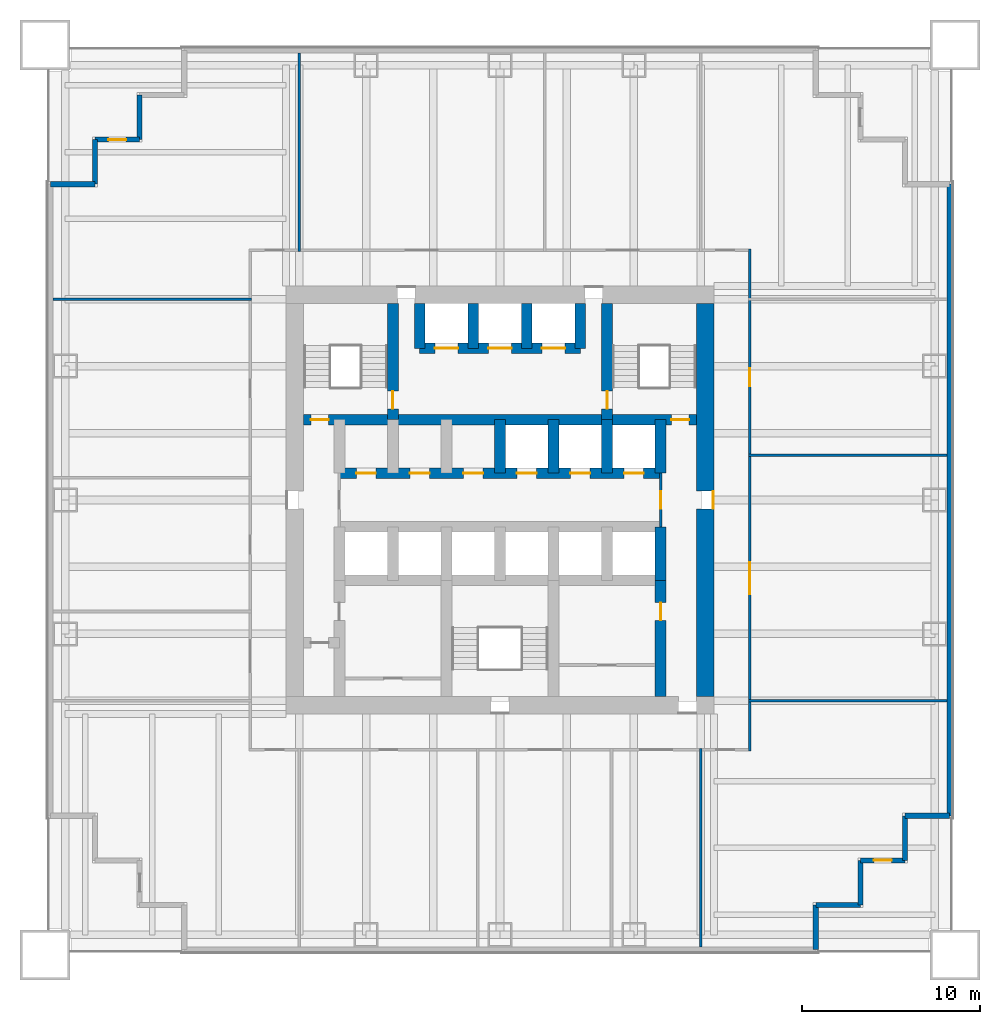
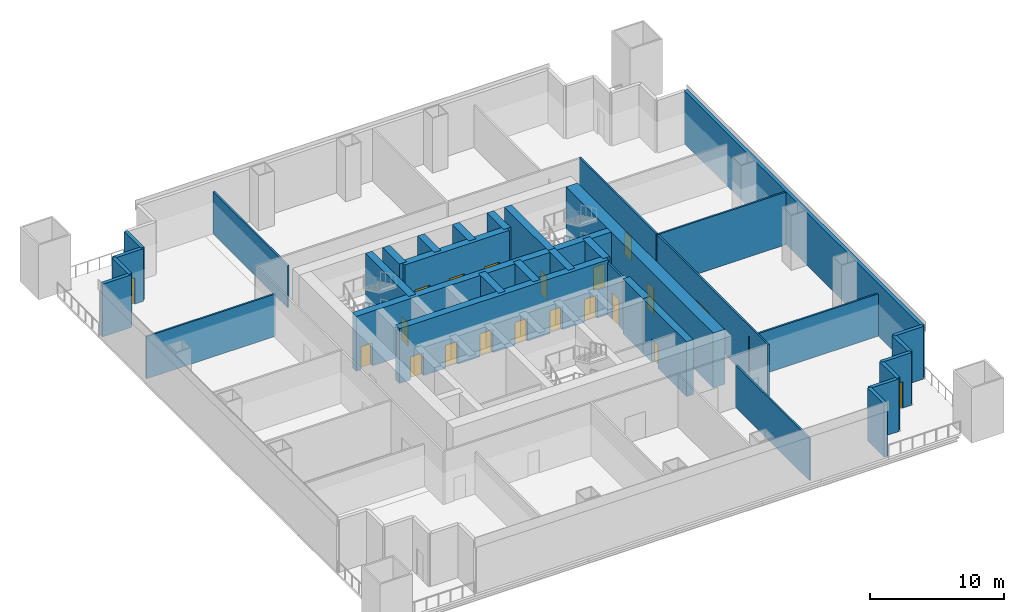
# One storey, part 3 of 6: 34 walls, 20 doors, 20 openings.
"""IFC4 building model written with IfcOpenShell, lengths in metres."""

import ifcopenshell
import ifcopenshell.guid

model = None  # the IFC model being written
_history = None  # IfcOwnerHistory: only IFC2X3 demands one
_inside = {}  # id of a spatial element -> (the spatial element, [elements in it])
_under = {}  # id of a project, library or spatial element -> (it, [spatial elements below it])
_declared = {}  # id of a project -> (the project, [libraries it declares])
_typed = {}  # id of a type object -> (the type object, [elements of that type])
_made_of = {}  # id of a material, layer set ... -> (it, [elements and type objects made of it])


def new_model(schema):
    """Start an empty IFC model of exactly this schema.

    Asked for "IFC4X3", IfcOpenShell would pick the latest addendum, in which some entities
    have other attributes; the version numbers below select the first issue.
    IFC2X3 requires an IfcOwnerHistory on every rooted entity: one is made here for all.
    """
    global model, _history
    if schema == "IFC4X3":
        model = ifcopenshell.file(schema_version=(4, 3, 0, 0))
    else:
        model = ifcopenshell.file(schema=schema)
    _inside.clear()
    _under.clear()
    _declared.clear()
    _typed.clear()
    _made_of.clear()
    _history = None
    if model.schema == "IFC2X3":
        org = make("IfcOrganization", Name="unknown")
        user = make(
            "IfcPersonAndOrganization",
            ThePerson=make("IfcPerson", FamilyName="unknown"),
            TheOrganization=org,
        )
        app = make(
            "IfcApplication",
            ApplicationDeveloper=org,
            Version="unknown",
            ApplicationFullName="unknown",
            ApplicationIdentifier="unknown",
        )
        _history = make(
            "IfcOwnerHistory",
            OwningUser=user,
            OwningApplication=app,
            ChangeAction="ADDED",
            CreationDate=0,
        )
    return model


def make(cls, **values):
    """One entity of the class cls with the attributes given. An attribute that is None is left unset."""
    return model.create_entity(
        cls, **{name: value for name, value in values.items() if value is not None}
    )


def rooted(cls, **values):
    """An entity with a GlobalId (a new one), such as an element, a storey or a relation."""
    return make(cls, GlobalId=ifcopenshell.guid.new(), OwnerHistory=_history, **values)


def si_unit(unit_type, name, prefix=None):
    """IfcSIUnit, for example si_unit("LENGTHUNIT", "METRE", prefix="MILLI")."""
    return make("IfcSIUnit", UnitType=unit_type, Prefix=prefix, Name=name)


def assignment(units):
    """IfcUnitAssignment: the units of a project."""
    return None if units is None else make("IfcUnitAssignment", Units=units)


def point(xyz):
    """IfcCartesianPoint."""
    return None if xyz is None else make("IfcCartesianPoint", Coordinates=xyz)


def direction(xyz):
    """IfcDirection."""
    return None if xyz is None else make("IfcDirection", DirectionRatios=xyz)


def frame(location, z_axis=None, x_axis=None):
    """IfcAxis2Placement3D, a coordinate frame: its origin and axes. An axis left out is left unset."""
    return make(
        "IfcAxis2Placement3D",
        Location=point(location),
        Axis=direction(z_axis),
        RefDirection=direction(x_axis),
    )


def frame_2d(location, x_axis=None):
    """IfcAxis2Placement2D, a coordinate frame in the plane: its origin and x axis."""
    return make(
        "IfcAxis2Placement2D", Location=point(location), RefDirection=direction(x_axis)
    )


def origin():
    """The frame at (0, 0, 0) with its axes left unset."""
    return frame((0.0, 0.0, 0.0))


def place(relative_to, where):
    """IfcLocalPlacement: puts the frame where relative to a parent placement (None: the world)."""
    return make(
        "IfcLocalPlacement", PlacementRelTo=relative_to, RelativePlacement=where
    )


def context(
    kind, dimensions, precision=None, world=None, true_north=None, identifier=None
):
    """IfcGeometricRepresentationContext, for example the 3D "Model" context."""
    return make(
        "IfcGeometricRepresentationContext",
        ContextIdentifier=identifier,
        ContextType=kind,
        CoordinateSpaceDimension=dimensions,
        Precision=precision,
        WorldCoordinateSystem=world,
        TrueNorth=true_north,
    )


def subcontext(parent, identifier, kind, view, scale=None):
    """IfcGeometricRepresentationSubContext, for example "Body" below "Model"."""
    return make(
        "IfcGeometricRepresentationSubContext",
        ContextIdentifier=identifier,
        ContextType=kind,
        ParentContext=parent,
        TargetScale=scale,
        TargetView=view,
    )


def project(units=None, contexts=None):
    """IfcProject with its units and contexts."""
    return rooted(
        "IfcProject",
        Name="project",
        RepresentationContexts=contexts,
        UnitsInContext=assignment(units),
    )


def spatial(cls, under=None, at=None, **own):
    """A site, building, storey or space (cls), placed at a placement, below another one or the project."""
    s = rooted(cls, ObjectPlacement=at, **own)
    if under is not None:
        _under.setdefault(under.id(), (under, []))[1].append(s)
    return s


def profile(cls, at=None, kind="AREA", **sizes):
    """A parametric profile (cls). Its sizes go by their IFC names, for example OverallWidth=200.0."""
    return make(cls, ProfileType=kind, Position=at, **sizes)


def rectangle(**sizes):
    """IfcRectangleProfileDef."""
    return profile("IfcRectangleProfileDef", **sizes)


def extrude(swept, where, along, depth):
    """IfcExtrudedAreaSolid: the profile swept, set in the frame where, extruded along a direction by depth."""
    return make(
        "IfcExtrudedAreaSolid",
        SweptArea=swept,
        Position=where,
        ExtrudedDirection=direction(along),
        Depth=depth,
    )


def shape(context_of_items, identifier, shape_type, items):
    """IfcShapeRepresentation: the items that make up one representation, for example the "Body"."""
    return make(
        "IfcShapeRepresentation",
        ContextOfItems=context_of_items,
        RepresentationIdentifier=identifier,
        RepresentationType=shape_type,
        Items=items,
    )


def material(Name=None, Category=None):
    """IfcMaterial."""
    return make("IfcMaterial", Name=Name, Category=Category)


def layer(
    of_material, thickness, ventilated=None, Name=None, Category=None, Priority=None
):
    """IfcMaterialLayer: one layer of a wall or slab, of a material (None: an air gap)."""
    return make(
        "IfcMaterialLayer",
        Material=of_material,
        LayerThickness=thickness,
        IsVentilated=ventilated,
        Name=Name,
        Category=Category,
        Priority=Priority,
    )


def layer_set(layers, Name=None):
    """IfcMaterialLayerSet."""
    return make("IfcMaterialLayerSet", MaterialLayers=layers, LayerSetName=Name)


def made_of(thing, what):
    """Note that an element or type object is made of a material, layer set ...; save() writes the relation."""
    if what is not None:
        _made_of.setdefault(what.id(), (what, []))[1].append(thing)
    return thing


def type_object(cls, material=None, **own):
    """A type object (cls), such as IfcWallType, which elements share."""
    return made_of(rooted(cls, **own), material)


def element(
    cls,
    number,
    at=None,
    inside=None,
    cuts=None,
    type_object=None,
    material=None,
    context=None,
    identifier="Body",
    shape_type=None,
    held_by="IfcProductDefinitionShape",
    body=None,
    shapes=None,
    **own,
):
    """One element of the class cls, such as IfcWall. Its Tag is "e" and its number.

    at: its placement. inside: the storey or other place that contains it. cuts: it is an
    opening in that element (IfcRelVoidsElement). A single representation is given by context,
    identifier, shape_type and body (its items); several are given by shapes. held_by: the class
    of the entity that holds the representations. save() writes the other relations.
    """
    e = rooted(cls, Tag="e%d" % number, ObjectPlacement=at, **own)
    if body is not None:
        shapes = [shape(context, identifier, shape_type, body)]
    if shapes is not None:
        e.Representation = make(held_by, Representations=shapes)
    if inside is not None:
        _inside.setdefault(inside.id(), (inside, []))[1].append(e)
    if cuts is not None:
        rooted(
            "IfcRelVoidsElement", RelatingBuildingElement=cuts, RelatedOpeningElement=e
        )
    if type_object is not None:
        _typed.setdefault(type_object.id(), (type_object, []))[1].append(e)
    return made_of(e, material)


def fill(opening, filler):
    """IfcRelFillsElement: the door or window that sits in an opening."""
    return rooted(
        "IfcRelFillsElement",
        RelatingOpeningElement=opening,
        RelatedBuildingElement=filler,
    )


def aggregate(whole, parts):
    """IfcRelAggregates: a whole, such as a stair, and the parts it consists of."""
    return rooted("IfcRelAggregates", RelatingObject=whole, RelatedObjects=parts)


def save(model, path):
    """Write the relations noted so far, then the file.

    IfcRelAggregates (storeys below a building ...), IfcRelContainedInSpatialStructure (elements
    in a storey), IfcRelDefinesByType, IfcRelAssociatesMaterial and IfcRelDeclares: one each for
    every whole, place, type object, material and project.
    """
    for whole, parts in _under.values():
        aggregate(whole, parts)
    for where, things in _inside.values():
        rooted(
            "IfcRelContainedInSpatialStructure",
            RelatedElements=things,
            RelatingStructure=where,
        )
    for kind, things in _typed.values():
        rooted("IfcRelDefinesByType", RelatedObjects=things, RelatingType=kind)
    for what, things in _made_of.values():
        rooted("IfcRelAssociatesMaterial", RelatedObjects=things, RelatingMaterial=what)
    for by, libraries in _declared.values():
        rooted("IfcRelDeclares", RelatingContext=by, RelatedDefinitions=libraries)
    model.write(path)


model = new_model("IFC4")

# Units and contexts
model_context = context("Model", 3, precision=1e-05, world=origin(), true_north=direction((0.0, 1.0)))
body_context = subcontext(model_context, "Body", "Model", "MODEL_VIEW")
ifc_project = project(units=[si_unit("LENGTHUNIT", "METRE"), si_unit("AREAUNIT", "SQUARE_METRE"), si_unit("VOLUMEUNIT", "CUBIC_METRE"), si_unit("PLANEANGLEUNIT", "RADIAN"), si_unit("MASSUNIT", "GRAM", prefix="KILO")], contexts=[model_context])

# Site, building, storey
site_placement = place(None, origin())
site = spatial("IfcSite", under=ifc_project, at=site_placement, CompositionType="ELEMENT")
building_placement = place(site_placement, origin())
building = spatial("IfcBuilding", under=site, at=building_placement, Name="Tarangal Relay Tower", CompositionType="ELEMENT")
storey_placement = place(building_placement, frame((0.0, 0.0, 33.39990234375)))
storey = spatial("IfcBuildingStorey", under=building, at=storey_placement, Name="L06", CompositionType="ELEMENT", Elevation=33.39990234375)

# Wall, openings, doors
ifc_material_1 = material(Name="Concrete fc' 60 MPa", Category="concrete")
ifc_layer_1 = layer(ifc_material_1, 0.60009765625)
ifc_layer_set_1 = layer_set([ifc_layer_1], Name="Core inner wall 600")
wall_type_1 = type_object("IfcWallType", Name="Core inner wall 600", PredefinedType="SHEAR", material=ifc_layer_set_1)
wall_1_placement = place(storey_placement, frame((-11.0, 4.5, 0.0), z_axis=(0.0, 0.0, 1.0), x_axis=(1.0, 0.0, 0.0)))
wall_1 = element("IfcWall", 1, at=wall_1_placement, inside=storey, type_object=wall_type_1, Name="Core wall Y45 L06", PredefinedType="SHEAR", context=body_context, shape_type="SweptSolid", body=[
    extrude(rectangle(XDim=22.0, YDim=0.60009765625, at=frame_2d((11.0, 0.0))), origin(), (0.0, 0.0, 1.0), 5.0),
])
opening_1_placement = place(wall_1_placement, frame((0.39990234375, 0.0, 0.0)))
opening_1 = element("IfcOpeningElement", 2, at=opening_1_placement, cuts=wall_1, Name="Opening FD1", PredefinedType="OPENING", context=body_context, shape_type="SweptSolid", body=[
    extrude(rectangle(XDim=1.0, YDim=2.10009765625, at=frame_2d((0.5, 1.050048828125))), frame((0.0, 0.31005859375, 0.0), z_axis=(0.0, -1.0, 0.0), x_axis=(1.0, 0.0, 0.0)), (0.0, 0.0, 1.0), 0.6201171875),
])
opening_2_placement = place(wall_1_placement, frame((20.60009765625, 0.0, 0.0)))
opening_2 = element("IfcOpeningElement", 3, at=opening_2_placement, cuts=wall_1, Name="Opening FD1", PredefinedType="OPENING", context=body_context, shape_type="SweptSolid", body=[
    extrude(rectangle(XDim=1.0, YDim=2.10009765625, at=frame_2d((0.5, 1.050048828125))), frame((0.0, 0.31005859375, 0.0), z_axis=(0.0, -1.0, 0.0), x_axis=(1.0, 0.0, 0.0)), (0.0, 0.0, 1.0), 0.6201171875),
])
ifc_material_2 = material(Name="Steel door with hardwood frame", Category="steel")
door_type_1 = type_object("IfcDoorType", Name="Fire door 1000 x 2100", OperationType="SINGLE_SWING_LEFT", PredefinedType="DOOR", material=ifc_material_2)
door_1_placement = place(opening_1_placement, origin())
door_1 = element("IfcDoor", 4, at=door_1_placement, inside=storey, type_object=door_type_1, Name="Stair ST-A door from corridor L06", OperationType="SINGLE_SWING_LEFT", OverallHeight=2.10009765625, OverallWidth=1.0, PredefinedType="DOOR", context=body_context, shape_type="SweptSolid", body=[
    extrude(rectangle(XDim=1.0, YDim=2.10009765625, at=frame_2d((0.5, 1.050048828125))), frame((0.0, 0.02490234375, 0.0), z_axis=(0.0, -1.0, 0.0), x_axis=(1.0, 0.0, 0.0)), (0.0, 0.0, 1.0), 0.050048828125),
])
fill(opening_1, door_1)
door_2_placement = place(opening_2_placement, origin())
door_2 = element("IfcDoor", 5, at=door_2_placement, inside=storey, type_object=door_type_1, Name="Stair ST-B door from corridor L06", OperationType="SINGLE_SWING_LEFT", OverallHeight=2.10009765625, OverallWidth=1.0, PredefinedType="DOOR", context=body_context, shape_type="SweptSolid", body=[
    extrude(rectangle(XDim=1.0, YDim=2.10009765625, at=frame_2d((0.5, 1.050048828125))), frame((0.0, 0.02490234375, 0.0), z_axis=(0.0, -1.0, 0.0), x_axis=(1.0, 0.0, 0.0)), (0.0, 0.0, 1.0), 0.050048828125),
])
fill(opening_2, door_2)

wall_2_placement = place(storey_placement, frame((-9.0, 1.5, 0.0), z_axis=(0.0, 0.0, 1.0), x_axis=(1.0, 0.0, 0.0)))
wall_2 = element("IfcWall", 6, at=wall_2_placement, inside=storey, type_object=wall_type_1, Name="Core wall Y15 L06", PredefinedType="SHEAR", context=body_context, shape_type="SweptSolid", body=[
    extrude(rectangle(XDim=18.0, YDim=0.60009765625, at=frame_2d((9.0, 0.0))), origin(), (0.0, 0.0, 1.0), 5.0),
])
opening_3_placement = place(wall_2_placement, frame((9.949951171875, 0.0, 0.0)))
opening_3 = element("IfcOpeningElement", 7, at=opening_3_placement, cuts=wall_2, Name="Opening LD1", PredefinedType="OPENING", context=body_context, shape_type="SweptSolid", body=[
    extrude(rectangle(XDim=1.10009765625, YDim=2.10009765625, at=frame_2d((0.550048828125, 1.050048828125))), frame((0.0, 0.31005859375, 0.0), z_axis=(0.0, -1.0, 0.0), x_axis=(1.0, 0.0, 0.0)), (0.0, 0.0, 1.0), 0.6201171875),
])
opening_4_placement = place(wall_2_placement, frame((12.949951171875, 0.0, 0.0)))
opening_4 = element("IfcOpeningElement", 8, at=opening_4_placement, cuts=wall_2, Name="Opening LD1", PredefinedType="OPENING", context=body_context, shape_type="SweptSolid", body=[
    extrude(rectangle(XDim=1.10009765625, YDim=2.10009765625, at=frame_2d((0.550048828125, 1.050048828125))), frame((0.0, 0.31005859375, 0.0), z_axis=(0.0, -1.0, 0.0), x_axis=(1.0, 0.0, 0.0)), (0.0, 0.0, 1.0), 0.6201171875),
])
opening_5_placement = place(wall_2_placement, frame((15.949951171875, 0.0, 0.0)))
opening_5 = element("IfcOpeningElement", 9, at=opening_5_placement, cuts=wall_2, Name="Opening LD1", PredefinedType="OPENING", context=body_context, shape_type="SweptSolid", body=[
    extrude(rectangle(XDim=1.10009765625, YDim=2.10009765625, at=frame_2d((0.550048828125, 1.050048828125))), frame((0.0, 0.31005859375, 0.0), z_axis=(0.0, -1.0, 0.0), x_axis=(1.0, 0.0, 0.0)), (0.0, 0.0, 1.0), 0.6201171875),
])
opening_6_placement = place(wall_2_placement, frame((0.949951171875, 0.0, 0.0)))
opening_6 = element("IfcOpeningElement", 10, at=opening_6_placement, cuts=wall_2, Name="Opening D4", PredefinedType="OPENING", context=body_context, shape_type="SweptSolid", body=[
    extrude(rectangle(XDim=1.10009765625, YDim=2.10009765625, at=frame_2d((0.550048828125, 1.050048828125))), frame((0.0, 0.31005859375, 0.0), z_axis=(0.0, -1.0, 0.0), x_axis=(1.0, 0.0, 0.0)), (0.0, 0.0, 1.0), 0.6201171875),
])
opening_7_placement = place(wall_2_placement, frame((3.949951171875, 0.0, 0.0)))
opening_7 = element("IfcOpeningElement", 11, at=opening_7_placement, cuts=wall_2, Name="Opening D4", PredefinedType="OPENING", context=body_context, shape_type="SweptSolid", body=[
    extrude(rectangle(XDim=1.10009765625, YDim=2.10009765625, at=frame_2d((0.550048828125, 1.050048828125))), frame((0.0, 0.31005859375, 0.0), z_axis=(0.0, -1.0, 0.0), x_axis=(1.0, 0.0, 0.0)), (0.0, 0.0, 1.0), 0.6201171875),
])
opening_8_placement = place(wall_2_placement, frame((6.949951171875, 0.0, 0.0)))
opening_8 = element("IfcOpeningElement", 12, at=opening_8_placement, cuts=wall_2, Name="Opening D4", PredefinedType="OPENING", context=body_context, shape_type="SweptSolid", body=[
    extrude(rectangle(XDim=1.10009765625, YDim=2.10009765625, at=frame_2d((0.550048828125, 1.050048828125))), frame((0.0, 0.31005859375, 0.0), z_axis=(0.0, -1.0, 0.0), x_axis=(1.0, 0.0, 0.0)), (0.0, 0.0, 1.0), 0.6201171875),
])
door_type_2 = type_object("IfcDoorType", Name="Core room door 1100 x 2100", OperationType="SINGLE_SWING_RIGHT", PredefinedType="DOOR", material=ifc_material_2)
door_3_placement = place(opening_6_placement, origin())
door_3 = element("IfcDoor", 13, at=door_3_placement, inside=storey, type_object=door_type_2, Name="Door D4 to cleaner's store L06-D1", OperationType="SINGLE_SWING_RIGHT", OverallHeight=2.10009765625, OverallWidth=1.10009765625, PredefinedType="DOOR", context=body_context, shape_type="SweptSolid", body=[
    extrude(rectangle(XDim=1.10009765625, YDim=2.10009765625, at=frame_2d((0.550048828125, 1.050048828125))), frame((0.0, 0.02490234375, 0.0), z_axis=(0.0, -1.0, 0.0), x_axis=(1.0, 0.0, 0.0)), (0.0, 0.0, 1.0), 0.050048828125),
])
fill(opening_6, door_3)
door_4_placement = place(opening_7_placement, origin())
door_4 = element("IfcDoor", 14, at=door_4_placement, inside=storey, type_object=door_type_2, Name="Door D4 to it room L06-D2", OperationType="SINGLE_SWING_RIGHT", OverallHeight=2.10009765625, OverallWidth=1.10009765625, PredefinedType="DOOR", context=body_context, shape_type="SweptSolid", body=[
    extrude(rectangle(XDim=1.10009765625, YDim=2.10009765625, at=frame_2d((0.550048828125, 1.050048828125))), frame((0.0, 0.02490234375, 0.0), z_axis=(0.0, -1.0, 0.0), x_axis=(1.0, 0.0, 0.0)), (0.0, 0.0, 1.0), 0.050048828125),
])
fill(opening_7, door_4)
door_5_placement = place(opening_8_placement, origin())
door_5 = element("IfcDoor", 15, at=door_5_placement, inside=storey, type_object=door_type_2, Name="Door D4 to back-of-house plant room L06-D3", OperationType="SINGLE_SWING_RIGHT", OverallHeight=2.10009765625, OverallWidth=1.10009765625, PredefinedType="DOOR", context=body_context, shape_type="SweptSolid", body=[
    extrude(rectangle(XDim=1.10009765625, YDim=2.10009765625, at=frame_2d((0.550048828125, 1.050048828125))), frame((0.0, 0.02490234375, 0.0), z_axis=(0.0, -1.0, 0.0), x_axis=(1.0, 0.0, 0.0)), (0.0, 0.0, 1.0), 0.050048828125),
])
fill(opening_8, door_5)
door_type_3 = type_object("IfcDoorType", Name="Lift landing door 1100 x 2100", OperationType="SLIDING_TO_LEFT", PredefinedType="DOOR", material=ifc_material_2)
door_6_placement = place(opening_3_placement, origin())
door_6 = element("IfcDoor", 16, at=door_6_placement, inside=storey, type_object=door_type_3, Name="Lift T1 landing door L06", OperationType="SLIDING_TO_LEFT", OverallHeight=2.10009765625, OverallWidth=1.10009765625, PredefinedType="DOOR", context=body_context, shape_type="SweptSolid", body=[
    extrude(rectangle(XDim=1.10009765625, YDim=2.10009765625, at=frame_2d((0.550048828125, 1.050048828125))), frame((0.0, 0.02490234375, 0.0), z_axis=(0.0, -1.0, 0.0), x_axis=(1.0, 0.0, 0.0)), (0.0, 0.0, 1.0), 0.050048828125),
])
fill(opening_3, door_6)
door_7_placement = place(opening_4_placement, origin())
door_7 = element("IfcDoor", 17, at=door_7_placement, inside=storey, type_object=door_type_3, Name="Lift T2 landing door L06", OperationType="SLIDING_TO_LEFT", OverallHeight=2.10009765625, OverallWidth=1.10009765625, PredefinedType="DOOR", context=body_context, shape_type="SweptSolid", body=[
    extrude(rectangle(XDim=1.10009765625, YDim=2.10009765625, at=frame_2d((0.550048828125, 1.050048828125))), frame((0.0, 0.02490234375, 0.0), z_axis=(0.0, -1.0, 0.0), x_axis=(1.0, 0.0, 0.0)), (0.0, 0.0, 1.0), 0.050048828125),
])
fill(opening_4, door_7)
door_8_placement = place(opening_5_placement, origin())
door_8 = element("IfcDoor", 18, at=door_8_placement, inside=storey, type_object=door_type_3, Name="Lift T3 landing door L06", OperationType="SLIDING_TO_LEFT", OverallHeight=2.10009765625, OverallWidth=1.10009765625, PredefinedType="DOOR", context=body_context, shape_type="SweptSolid", body=[
    extrude(rectangle(XDim=1.10009765625, YDim=2.10009765625, at=frame_2d((0.550048828125, 1.050048828125))), frame((0.0, 0.02490234375, 0.0), z_axis=(0.0, -1.0, 0.0), x_axis=(1.0, 0.0, 0.0)), (0.0, 0.0, 1.0), 0.050048828125),
])
fill(opening_5, door_8)

wall_3_placement = place(storey_placement, frame((-4.5, 8.5, 0.0), z_axis=(0.0, 0.0, 1.0), x_axis=(1.0, 0.0, 0.0)))
wall_3 = element("IfcWall", 19, at=wall_3_placement, inside=storey, type_object=wall_type_1, Name="Core wall Y85 L06", PredefinedType="SHEAR", context=body_context, shape_type="SweptSolid", body=[
    extrude(rectangle(XDim=9.0, YDim=0.60009765625, at=frame_2d((4.5, 0.0))), origin(), (0.0, 0.0, 1.0), 5.0),
])
opening_9_placement = place(wall_3_placement, frame((0.85009765625, 0.0, 0.0)))
opening_9 = element("IfcOpeningElement", 20, at=opening_9_placement, cuts=wall_3, Name="Opening LD2", PredefinedType="OPENING", context=body_context, shape_type="SweptSolid", body=[
    extrude(rectangle(XDim=1.300048828125, YDim=2.39990234375, at=frame_2d((0.64990234375, 1.199951171875))), frame((0.0, 0.31005859375, 0.0), z_axis=(0.0, -1.0, 0.0), x_axis=(1.0, 0.0, 0.0)), (0.0, 0.0, 1.0), 0.6201171875),
])
opening_10_placement = place(wall_3_placement, frame((6.85009765625, 0.0, 0.0)))
opening_10 = element("IfcOpeningElement", 21, at=opening_10_placement, cuts=wall_3, Name="Opening LD2", PredefinedType="OPENING", context=body_context, shape_type="SweptSolid", body=[
    extrude(rectangle(XDim=1.300048828125, YDim=2.39990234375, at=frame_2d((0.64990234375, 1.199951171875))), frame((0.0, 0.31005859375, 0.0), z_axis=(0.0, -1.0, 0.0), x_axis=(1.0, 0.0, 0.0)), (0.0, 0.0, 1.0), 0.6201171875),
])
opening_11_placement = place(wall_3_placement, frame((3.85009765625, 0.0, 0.0)))
opening_11 = element("IfcOpeningElement", 22, at=opening_11_placement, cuts=wall_3, Name="Opening LD2", PredefinedType="OPENING", context=body_context, shape_type="SweptSolid", body=[
    extrude(rectangle(XDim=1.300048828125, YDim=2.39990234375, at=frame_2d((0.64990234375, 1.199951171875))), frame((0.0, 0.31005859375, 0.0), z_axis=(0.0, -1.0, 0.0), x_axis=(1.0, 0.0, 0.0)), (0.0, 0.0, 1.0), 0.6201171875),
])
door_type_4 = type_object("IfcDoorType", Name="Lift landing door 1300 x 2400", OperationType="SLIDING_TO_LEFT", PredefinedType="DOOR", material=ifc_material_2)
door_9_placement = place(opening_9_placement, origin())
door_9 = element("IfcDoor", 23, at=door_9_placement, inside=storey, type_object=door_type_4, Name="Lift FF1 landing door L06", OperationType="SLIDING_TO_LEFT", OverallHeight=2.39990234375, OverallWidth=1.300048828125, PredefinedType="DOOR", context=body_context, shape_type="SweptSolid", body=[
    extrude(rectangle(XDim=1.300048828125, YDim=2.39990234375, at=frame_2d((0.64990234375, 1.199951171875))), frame((0.0, 0.02490234375, 0.0), z_axis=(0.0, -1.0, 0.0), x_axis=(1.0, 0.0, 0.0)), (0.0, 0.0, 1.0), 0.050048828125),
])
fill(opening_9, door_9)
door_10_placement = place(opening_10_placement, origin())
door_10 = element("IfcDoor", 24, at=door_10_placement, inside=storey, type_object=door_type_4, Name="Lift FF2 landing door L06", OperationType="SLIDING_TO_LEFT", OverallHeight=2.39990234375, OverallWidth=1.300048828125, PredefinedType="DOOR", context=body_context, shape_type="SweptSolid", body=[
    extrude(rectangle(XDim=1.300048828125, YDim=2.39990234375, at=frame_2d((0.64990234375, 1.199951171875))), frame((0.0, 0.02490234375, 0.0), z_axis=(0.0, -1.0, 0.0), x_axis=(1.0, 0.0, 0.0)), (0.0, 0.0, 1.0), 0.050048828125),
])
fill(opening_10, door_10)
door_11_placement = place(opening_11_placement, origin())
door_11 = element("IfcDoor", 25, at=door_11_placement, inside=storey, type_object=door_type_4, Name="Lift SV1 landing door L06", OperationType="SLIDING_TO_LEFT", OverallHeight=2.39990234375, OverallWidth=1.300048828125, PredefinedType="DOOR", context=body_context, shape_type="SweptSolid", body=[
    extrude(rectangle(XDim=1.300048828125, YDim=2.39990234375, at=frame_2d((0.64990234375, 1.199951171875))), frame((0.0, 0.02490234375, 0.0), z_axis=(0.0, -1.0, 0.0), x_axis=(1.0, 0.0, 0.0)), (0.0, 0.0, 1.0), 0.050048828125),
])
fill(opening_11, door_11)

# Walls
for number, where, z_axis, x_axis, name in (
    (26, (9.0, 1.5, 0.0), (0.0, 0.0, 1.0), (0.0, 1.0, 0.0), "Core wall X9N L06"),
    (27, (9.0, -4.5, 0.0), (0.0, 0.0, 1.0), (0.0, 1.0, 0.0), "Core wall X9S L06"),
    (28, (0.0, 1.5, 0.0), (0.0, 0.0, 1.0), (0.0, 1.0, 0.0), "Core wall X0N L06"),
    (29, (3.0, 1.5, 0.0), (0.0, 0.0, 1.0), (0.0, 1.0, 0.0), "Core wall X3N L06"),
    (30, (6.0, 1.5, 0.0), (0.0, 0.0, 1.0), (0.0, 1.0, 0.0), "Core wall X6N L06"),
):
    element("IfcWall", number, at=place(storey_placement, frame(where, z_axis=z_axis, x_axis=x_axis)), inside=storey, type_object=wall_type_1, Name=name, PredefinedType="SHEAR", context=body_context, shape_type="SweptSolid", body=[
        extrude(rectangle(XDim=3.0, YDim=0.60009765625, at=frame_2d((1.5, 0.0))), origin(), (0.0, 0.0, 1.0), 5.0),
    ])

# Wall, opening, door
wall_4_placement = place(storey_placement, frame((-6.0, 4.5, 0.0), z_axis=(0.0, 0.0, 1.0), x_axis=(0.0, 1.0, 0.0)))
wall_4 = element("IfcWall", 31, at=wall_4_placement, inside=storey, type_object=wall_type_1, Name="Core wall XM6 L06", PredefinedType="SHEAR", context=body_context, shape_type="SweptSolid", body=[
    extrude(rectangle(XDim=6.5, YDim=0.60009765625, at=frame_2d((3.25, 0.0))), origin(), (0.0, 0.0, 1.0), 5.0),
])
opening_12_placement = place(wall_4_placement, frame((0.60009765625, 0.0, 0.0)))
opening_12 = element("IfcOpeningElement", 32, at=opening_12_placement, cuts=wall_4, Name="Opening FD1", PredefinedType="OPENING", context=body_context, shape_type="SweptSolid", body=[
    extrude(rectangle(XDim=1.0, YDim=2.10009765625, at=frame_2d((0.5, 1.050048828125))), frame((0.0, 0.31005859375, 0.0), z_axis=(0.0, -1.0, 0.0), x_axis=(1.0, 0.0, 0.0)), (0.0, 0.0, 1.0), 0.6201171875),
])
door_12_placement = place(opening_12_placement, origin())
door_12 = element("IfcDoor", 33, at=door_12_placement, inside=storey, type_object=door_type_1, Name="Stair ST-A door from fire-fighting lobby L06", OperationType="SINGLE_SWING_LEFT", OverallHeight=2.10009765625, OverallWidth=1.0, PredefinedType="DOOR", context=body_context, shape_type="SweptSolid", body=[
    extrude(rectangle(XDim=1.0, YDim=2.10009765625, at=frame_2d((0.5, 1.050048828125))), frame((0.0, 0.02490234375, 0.0), z_axis=(0.0, -1.0, 0.0), x_axis=(1.0, 0.0, 0.0)), (0.0, 0.0, 1.0), 0.050048828125),
])
fill(opening_12, door_12)

wall_5_placement = place(storey_placement, frame((6.0, 4.5, 0.0), z_axis=(0.0, 0.0, 1.0), x_axis=(0.0, 1.0, 0.0)))
wall_5 = element("IfcWall", 34, at=wall_5_placement, inside=storey, type_object=wall_type_1, Name="Core wall X6 L06", PredefinedType="SHEAR", context=body_context, shape_type="SweptSolid", body=[
    extrude(rectangle(XDim=6.5, YDim=0.60009765625, at=frame_2d((3.25, 0.0))), origin(), (0.0, 0.0, 1.0), 5.0),
])
opening_13_placement = place(wall_5_placement, frame((0.60009765625, 0.0, 0.0)))
opening_13 = element("IfcOpeningElement", 35, at=opening_13_placement, cuts=wall_5, Name="Opening FD1", PredefinedType="OPENING", context=body_context, shape_type="SweptSolid", body=[
    extrude(rectangle(XDim=1.0, YDim=2.10009765625, at=frame_2d((0.5, 1.050048828125))), frame((0.0, 0.31005859375, 0.0), z_axis=(0.0, -1.0, 0.0), x_axis=(1.0, 0.0, 0.0)), (0.0, 0.0, 1.0), 0.6201171875),
])
door_13_placement = place(opening_13_placement, origin())
door_13 = element("IfcDoor", 36, at=door_13_placement, inside=storey, type_object=door_type_1, Name="Stair ST-B door from fire-fighting lobby L06", OperationType="SINGLE_SWING_LEFT", OverallHeight=2.10009765625, OverallWidth=1.0, PredefinedType="DOOR", context=body_context, shape_type="SweptSolid", body=[
    extrude(rectangle(XDim=1.0, YDim=2.10009765625, at=frame_2d((0.5, 1.050048828125))), frame((0.0, 0.02490234375, 0.0), z_axis=(0.0, -1.0, 0.0), x_axis=(1.0, 0.0, 0.0)), (0.0, 0.0, 1.0), 0.050048828125),
])
fill(opening_13, door_13)

# Walls
for number, where, z_axis, x_axis, name in (
    (37, (-4.5, 8.5, 0.0), (0.0, 0.0, 1.0), (0.0, 1.0, 0.0), "Core wall XM45 L06"),
    (38, (4.5, 8.5, 0.0), (0.0, 0.0, 1.0), (0.0, 1.0, 0.0), "Core wall X45 L06"),
    (39, (-1.5, 8.5, 0.0), (0.0, 0.0, 1.0), (0.0, 1.0, 0.0), "Core wall XM15 L06"),
    (40, (1.5, 8.5, 0.0), (0.0, 0.0, 1.0), (0.0, 1.0, 0.0), "Core wall X15 L06"),
):
    element("IfcWall", number, at=place(storey_placement, frame(where, z_axis=z_axis, x_axis=x_axis)), inside=storey, type_object=wall_type_1, Name=name, PredefinedType="SHEAR", context=body_context, shape_type="SweptSolid", body=[
        extrude(rectangle(XDim=2.5, YDim=0.60009765625, at=frame_2d((1.25, 0.0))), origin(), (0.0, 0.0, 1.0), 5.0),
    ])

# Wall, opening, door
wall_6_placement = place(storey_placement, frame((9.0, -11.0, 0.0), z_axis=(0.0, 0.0, 1.0), x_axis=(0.0, 1.0, 0.0)))
wall_6 = element("IfcWall", 41, at=wall_6_placement, inside=storey, type_object=wall_type_1, Name="Core wall X9W L06", PredefinedType="SHEAR", context=body_context, shape_type="SweptSolid", body=[
    extrude(rectangle(XDim=6.5, YDim=0.60009765625, at=frame_2d((3.25, 0.0))), origin(), (0.0, 0.0, 1.0), 5.0),
])
opening_14_placement = place(wall_6_placement, frame((4.25, 0.0, 0.0)))
opening_14 = element("IfcOpeningElement", 42, at=opening_14_placement, cuts=wall_6, Name="Opening D1", PredefinedType="OPENING", context=body_context, shape_type="SweptSolid", body=[
    extrude(rectangle(XDim=1.0, YDim=2.10009765625, at=frame_2d((0.5, 1.050048828125))), frame((0.0, 0.31005859375, 0.0), z_axis=(0.0, -1.0, 0.0), x_axis=(1.0, 0.0, 0.0)), (0.0, 0.0, 1.0), 0.6201171875),
])
ifc_material_3 = material(Name="Hardwood door", Category="wood")
door_type_5 = type_object("IfcDoorType", Name="WC door 1000 x 2100", OperationType="SINGLE_SWING_LEFT", PredefinedType="DOOR", material=ifc_material_3)
door_14_placement = place(opening_14_placement, origin())
door_14 = element("IfcDoor", 43, at=door_14_placement, inside=storey, type_object=door_type_5, Name="Female WC door L06", OperationType="SINGLE_SWING_LEFT", OverallHeight=2.10009765625, OverallWidth=1.0, PredefinedType="DOOR", context=body_context, shape_type="SweptSolid", body=[
    extrude(rectangle(XDim=1.0, YDim=2.10009765625, at=frame_2d((0.5, 1.050048828125))), frame((0.0, 0.02490234375, 0.0), z_axis=(0.0, -1.0, 0.0), x_axis=(1.0, 0.0, 0.0)), (0.0, 0.0, 1.0), 0.050048828125),
])
fill(opening_14, door_14)

ifc_layer_2 = layer(ifc_material_1, 1.0)
ifc_layer_set_2 = layer_set([ifc_layer_2], Name="Core wall 1000")
wall_type_2 = type_object("IfcWallType", Name="Core wall 1000", PredefinedType="SHEAR", material=ifc_layer_set_2)
wall_7_placement = place(storey_placement, frame((11.5, 11.0, 0.0), z_axis=(0.0, 0.0, 1.0), x_axis=(0.0, -1.0, 0.0)))
wall_7 = element("IfcWall", 44, at=wall_7_placement, inside=storey, type_object=wall_type_2, Name="Core wall E L06", PredefinedType="SHEAR", context=body_context, shape_type="SweptSolid", body=[
    extrude(rectangle(XDim=22.0, YDim=1.0, at=frame_2d((11.0, 0.0))), origin(), (0.0, 0.0, 1.0), 5.0),
])
opening_15_placement = place(wall_7_placement, frame((10.5, 0.0, 0.0)))
opening_15 = element("IfcOpeningElement", 45, at=opening_15_placement, cuts=wall_7, Name="Opening FD3", PredefinedType="OPENING", context=body_context, shape_type="SweptSolid", body=[
    extrude(rectangle(XDim=1.0, YDim=2.39990234375, at=frame_2d((0.5, 1.199951171875))), frame((0.0, 0.510009765625, 0.0), z_axis=(0.0, -1.0, 0.0), x_axis=(1.0, 0.0, 0.0)), (0.0, 0.0, 1.0), 1.02001953125),
])
door_type_6 = type_object("IfcDoorType", Name="Fire door 1000 x 2400 core entry", OperationType="SINGLE_SWING_RIGHT", PredefinedType="DOOR", material=ifc_material_2)
door_15_placement = place(opening_15_placement, origin())
door_15 = element("IfcDoor", 46, at=door_15_placement, inside=storey, type_object=door_type_6, Name="Core entry door east L06", OperationType="SINGLE_SWING_RIGHT", OverallHeight=2.39990234375, OverallWidth=1.0, PredefinedType="DOOR", context=body_context, shape_type="SweptSolid", body=[
    extrude(rectangle(XDim=1.0, YDim=2.39990234375, at=frame_2d((0.5, 1.199951171875))), frame((0.0, 0.48486328125, 0.0), z_axis=(0.0, -1.0, 0.0), x_axis=(1.0, 0.0, 0.0)), (0.0, 0.0, 1.0), 0.050048828125),
])
fill(opening_15, door_15)

# Walls
ifc_material_4 = material(Name="Insulated precast concrete fc' 40 MPa", Category="concrete")
ifc_layer_3 = layer(ifc_material_4, 0.300048828125)
ifc_layer_set_3 = layer_set([ifc_layer_3], Name="Insulated precast concrete fc' 40 MPa")
wall_type_3 = type_object("IfcWallType", Name="Facade wall precast 300", PredefinedType="SOLIDWALL", material=ifc_layer_set_3)
wall_8_placement = place(storey_placement, frame((25.199951171875, 17.699951171875, 0.0), z_axis=(0.0, 0.0, 1.0), x_axis=(0.0, -1.0, 0.0)))
element("IfcWall", 47, at=wall_8_placement, inside=storey, type_object=wall_type_3, Name="Facade wall E facade L06", PredefinedType="SOLIDWALL", context=body_context, shape_type="SweptSolid", body=[
    extrude(rectangle(XDim=35.39990234375, YDim=0.300048828125, at=frame_2d((17.699951171875, 0.0))), origin(), (0.0, 0.0, 1.0), 4.800048828125),
])
for number, where, z_axis, x_axis, name in (
    (48, (25.199951171875, -17.699951171875, 0.0), (0.0, 0.0, 1.0), (-1.0, 0.0, 0.0), "Facade wall E facade L06"),
    (49, (22.699951171875, -17.699951171875, 0.0), (0.0, 0.0, 1.0), (0.0, -1.0, 0.0), "Facade wall E facade L06"),
):
    element("IfcWall", number, at=place(storey_placement, frame(where, z_axis=z_axis, x_axis=x_axis)), inside=storey, type_object=wall_type_3, Name=name, PredefinedType="SOLIDWALL", context=body_context, shape_type="SweptSolid", body=[
        extrude(rectangle(XDim=2.5, YDim=0.300048828125, at=frame_2d((1.25, 0.0))), origin(), (0.0, 0.0, 1.0), 4.800048828125),
    ])

# Wall, opening, door
wall_9_placement = place(storey_placement, frame((22.699951171875, -20.199951171875, 0.0), z_axis=(0.0, 0.0, 1.0), x_axis=(-1.0, 0.0, 0.0)))
wall_9 = element("IfcWall", 50, at=wall_9_placement, inside=storey, type_object=wall_type_3, Name="Facade wall E facade L06", PredefinedType="SOLIDWALL", context=body_context, shape_type="SweptSolid", body=[
    extrude(rectangle(XDim=2.5, YDim=0.300048828125, at=frame_2d((1.25, 0.0))), origin(), (0.0, 0.0, 1.0), 4.800048828125),
])
opening_16_placement = place(wall_9_placement, frame((0.75, 0.0, 0.0)))
opening_16 = element("IfcOpeningElement", 51, at=opening_16_placement, cuts=wall_9, Name="Opening TD1", PredefinedType="OPENING", context=body_context, shape_type="SweptSolid", body=[
    extrude(rectangle(XDim=1.0, YDim=2.39990234375, at=frame_2d((0.5, 1.199951171875))), frame((0.0, 0.159912109375, 0.0), z_axis=(0.0, -1.0, 0.0), x_axis=(1.0, 0.0, 0.0)), (0.0, 0.0, 1.0), 0.320068359375),
])
ifc_material_5 = material(Name="Aluminium glazed door", Category="aluminium")
door_type_7 = type_object("IfcDoorType", Name="Terrace door 1000 x 2400", OperationType="SINGLE_SWING_RIGHT", PredefinedType="DOOR", material=ifc_material_5)
door_16_placement = place(opening_16_placement, origin())
door_16 = element("IfcDoor", 52, at=door_16_placement, inside=storey, type_object=door_type_7, Name="Terrace door TD1 SE L06", OperationType="SINGLE_SWING_RIGHT", OverallHeight=2.39990234375, OverallWidth=1.0, PredefinedType="DOOR", context=body_context, shape_type="SweptSolid", body=[
    extrude(rectangle(XDim=1.0, YDim=2.39990234375, at=frame_2d((0.5, 1.199951171875))), frame((0.0, 0.02490234375, 0.0), z_axis=(0.0, -1.0, 0.0), x_axis=(1.0, 0.0, 0.0)), (0.0, 0.0, 1.0), 0.050048828125),
])
fill(opening_16, door_16)

# Walls
for number, where, z_axis, x_axis, name in (
    (53, (20.199951171875, -20.199951171875, 0.0), (0.0, 0.0, 1.0), (0.0, -1.0, 0.0), "Facade wall E facade L06"),
    (54, (20.199951171875, -22.699951171875, 0.0), (0.0, 0.0, 1.0), (-1.0, 0.0, 0.0), "Facade wall E facade L06"),
    (55, (17.699951171875, -22.699951171875, 0.0), (0.0, 0.0, 1.0), (0.0, -1.0, 0.0), "Facade wall E facade L06"),
    (56, (-25.199951171875, 17.699951171875, 0.0), (0.0, 0.0, 1.0), (1.0, 0.0, 0.0), "Facade wall W facade L06"),
    (57, (-22.699951171875, 17.699951171875, 0.0), (0.0, 0.0, 1.0), (0.0, 1.0, 0.0), "Facade wall W facade L06"),
):
    element("IfcWall", number, at=place(storey_placement, frame(where, z_axis=z_axis, x_axis=x_axis)), inside=storey, type_object=wall_type_3, Name=name, PredefinedType="SOLIDWALL", context=body_context, shape_type="SweptSolid", body=[
        extrude(rectangle(XDim=2.5, YDim=0.300048828125, at=frame_2d((1.25, 0.0))), origin(), (0.0, 0.0, 1.0), 4.800048828125),
    ])

# Wall, opening, door
wall_10_placement = place(storey_placement, frame((-22.699951171875, 20.199951171875, 0.0), z_axis=(0.0, 0.0, 1.0), x_axis=(1.0, 0.0, 0.0)))
wall_10 = element("IfcWall", 58, at=wall_10_placement, inside=storey, type_object=wall_type_3, Name="Facade wall W facade L06", PredefinedType="SOLIDWALL", context=body_context, shape_type="SweptSolid", body=[
    extrude(rectangle(XDim=2.5, YDim=0.300048828125, at=frame_2d((1.25, 0.0))), origin(), (0.0, 0.0, 1.0), 4.800048828125),
])
opening_17_placement = place(wall_10_placement, frame((0.75, 0.0, 0.0)))
opening_17 = element("IfcOpeningElement", 59, at=opening_17_placement, cuts=wall_10, Name="Opening TD1", PredefinedType="OPENING", context=body_context, shape_type="SweptSolid", body=[
    extrude(rectangle(XDim=1.0, YDim=2.39990234375, at=frame_2d((0.5, 1.199951171875))), frame((0.0, 0.159912109375, 0.0), z_axis=(0.0, -1.0, 0.0), x_axis=(1.0, 0.0, 0.0)), (0.0, 0.0, 1.0), 0.320068359375),
])
door_17_placement = place(opening_17_placement, origin())
door_17 = element("IfcDoor", 60, at=door_17_placement, inside=storey, type_object=door_type_7, Name="Terrace door TD1 NW L06", OperationType="SINGLE_SWING_RIGHT", OverallHeight=2.39990234375, OverallWidth=1.0, PredefinedType="DOOR", context=body_context, shape_type="SweptSolid", body=[
    extrude(rectangle(XDim=1.0, YDim=2.39990234375, at=frame_2d((0.5, 1.199951171875))), frame((0.0, 0.02490234375, 0.0), z_axis=(0.0, -1.0, 0.0), x_axis=(1.0, 0.0, 0.0)), (0.0, 0.0, 1.0), 0.050048828125),
])
fill(opening_17, door_17)

# Walls
wall_11_placement = place(storey_placement, frame((-20.199951171875, 20.199951171875, 0.0), z_axis=(0.0, 0.0, 1.0), x_axis=(0.0, 1.0, 0.0)))
element("IfcWall", 61, at=wall_11_placement, inside=storey, type_object=wall_type_3, Name="Facade wall W facade L06", PredefinedType="SOLIDWALL", context=body_context, shape_type="SweptSolid", body=[
    extrude(rectangle(XDim=2.5, YDim=0.300048828125, at=frame_2d((1.25, 0.0))), origin(), (0.0, 0.0, 1.0), 4.800048828125),
])
ifc_material_6 = material(Name="Gypsum board on steel studs", Category="steel")
ifc_layer_4 = layer(ifc_material_6, 0.14990234375)
ifc_layer_set_4 = layer_set([ifc_layer_4], Name="Partition 150")
wall_type_4 = type_object("IfcWallType", Name="Partition 150", PredefinedType="PARTITIONING", material=ifc_layer_set_4)
wall_12_placement = place(storey_placement, frame((13.925048828125, -11.25, 0.0), z_axis=(0.0, 0.0, 1.0), x_axis=(1.0, 0.0, 0.0)))
element("IfcWall", 62, at=wall_12_placement, inside=storey, type_object=wall_type_4, Name="Partition PT1 L06", PredefinedType="PARTITIONING", context=body_context, shape_type="SweptSolid", body=[
    extrude(rectangle(XDim=11.125, YDim=0.14990234375, at=frame_2d((5.5625, 0.0))), origin(), (0.0, 0.0, 1.0), 3.852783203125),
])
wall_13_placement = place(storey_placement, frame((13.925048828125, 2.5, 0.0), z_axis=(0.0, 0.0, 1.0), x_axis=(1.0, 0.0, 0.0)))
element("IfcWall", 63, at=wall_13_placement, inside=storey, type_object=wall_type_4, Name="Partition PT1 L06", PredefinedType="PARTITIONING", context=body_context, shape_type="SweptSolid", body=[
    extrude(rectangle(XDim=11.125, YDim=0.14990234375, at=frame_2d((5.5625, 0.0))), origin(), (0.0, 0.0, 1.0), 4.800048828125),
])
for number, where, z_axis, x_axis, name in (
    (64, (-25.050048828125, 11.25, 0.0), (0.0, 0.0, 1.0), (1.0, 0.0, 0.0), "Partition PT1 L06"),
    (65, (-11.25, 13.925048828125, 0.0), (0.0, 0.0, 1.0), (0.0, 1.0, 0.0), "Partition PT1 L06"),
    (66, (11.25, -25.050048828125, 0.0), (0.0, 0.0, 1.0), (0.0, 1.0, 0.0), "Partition PT1 L06"),
):
    element("IfcWall", number, at=place(storey_placement, frame(where, z_axis=z_axis, x_axis=x_axis)), inside=storey, type_object=wall_type_4, Name=name, PredefinedType="PARTITIONING", context=body_context, shape_type="SweptSolid", body=[
        extrude(rectangle(XDim=11.125, YDim=0.14990234375, at=frame_2d((5.5625, 0.0))), origin(), (0.0, 0.0, 1.0), 3.852783203125),
    ])

# Wall, openings, doors
wall_14_placement = place(storey_placement, frame((14.0, -14.074951171875, 0.0), z_axis=(0.0, 0.0, 1.0), x_axis=(0.0, 1.0, 0.0)))
wall_14 = element("IfcWall", 67, at=wall_14_placement, inside=storey, type_object=wall_type_4, Name="Partition PT1 L06", PredefinedType="PARTITIONING", context=body_context, shape_type="SweptSolid", body=[
    extrude(rectangle(XDim=28.14990234375, YDim=0.14990234375, at=frame_2d((14.074951171875, 0.0))), origin(), (0.0, 0.0, 1.0), 4.800048828125),
])
opening_18_placement = place(wall_14_placement, frame((20.449951171875, 0.0, 0.0)))
opening_18 = element("IfcOpeningElement", 68, at=opening_18_placement, cuts=wall_14, Name="Opening D2", PredefinedType="OPENING", context=body_context, shape_type="SweptSolid", body=[
    extrude(rectangle(XDim=1.0, YDim=2.10009765625, at=frame_2d((0.5, 1.050048828125))), frame((0.0, 0.0849609375, 0.0), z_axis=(0.0, -1.0, 0.0), x_axis=(1.0, 0.0, 0.0)), (0.0, 0.0, 1.0), 0.169921875),
])
opening_19_placement = place(wall_14_placement, frame((8.800048828125, 0.0, 0.0)))
opening_19 = element("IfcOpeningElement", 69, at=opening_19_placement, cuts=wall_14, Name="Opening DD1", PredefinedType="OPENING", context=body_context, shape_type="SweptSolid", body=[
    extrude(rectangle(XDim=1.800048828125, YDim=2.39990234375, at=frame_2d((0.89990234375, 1.199951171875))), frame((0.0, 0.0849609375, 0.0), z_axis=(0.0, -1.0, 0.0), x_axis=(1.0, 0.0, 0.0)), (0.0, 0.0, 1.0), 0.169921875),
])
door_type_8 = type_object("IfcDoorType", Name="Door 1000 x 2100", OperationType="SINGLE_SWING_LEFT", PredefinedType="DOOR", material=ifc_material_3)
door_18_placement = place(opening_18_placement, origin())
door_18 = element("IfcDoor", 70, at=door_18_placement, inside=storey, type_object=door_type_8, Name="Door D2 to customer office L06-04", OperationType="SINGLE_SWING_LEFT", OverallHeight=2.10009765625, OverallWidth=1.0, PredefinedType="DOOR", context=body_context, shape_type="SweptSolid", body=[
    extrude(rectangle(XDim=1.0, YDim=2.10009765625, at=frame_2d((0.5, 1.050048828125))), frame((0.0, 0.02490234375, 0.0), z_axis=(0.0, -1.0, 0.0), x_axis=(1.0, 0.0, 0.0)), (0.0, 0.0, 1.0), 0.050048828125),
])
fill(opening_18, door_18)
door_type_9 = type_object("IfcDoorType", Name="Equipment double door 1800 x 2400", OperationType="DOUBLE_DOOR_SINGLE_SWING", PredefinedType="DOOR", material=ifc_material_2)
door_19_placement = place(opening_19_placement, origin())
door_19 = element("IfcDoor", 71, at=door_19_placement, inside=storey, type_object=door_type_9, Name="Door DD1 to data hall L06-05", OperationType="DOUBLE_DOOR_SINGLE_SWING", OverallHeight=2.39990234375, OverallWidth=1.800048828125, PredefinedType="DOOR", context=body_context, shape_type="SweptSolid", body=[
    extrude(rectangle(XDim=1.800048828125, YDim=2.39990234375, at=frame_2d((0.89990234375, 1.199951171875))), frame((0.0, 0.02490234375, 0.0), z_axis=(0.0, -1.0, 0.0), x_axis=(1.0, 0.0, 0.0)), (0.0, 0.0, 1.0), 0.050048828125),
])
fill(opening_19, door_19)

# Wall, opening, door
wall_15_placement = place(storey_placement, frame((9.0, -1.5, 0.0), z_axis=(0.0, 0.0, 1.0), x_axis=(0.0, 1.0, 0.0)))
wall_15 = element("IfcWall", 72, at=wall_15_placement, inside=storey, type_object=wall_type_4, Name="Partition PT1 L06", PredefinedType="PARTITIONING", context=body_context, shape_type="SweptSolid", body=[
    extrude(rectangle(XDim=3.0, YDim=0.14990234375, at=frame_2d((1.5, 0.0))), origin(), (0.0, 0.0, 1.0), 4.75),
])
opening_20_placement = place(wall_15_placement, frame((1.0, 0.0, 0.0)))
opening_20 = element("IfcOpeningElement", 73, at=opening_20_placement, cuts=wall_15, Name="Opening FD3", PredefinedType="OPENING", context=body_context, shape_type="SweptSolid", body=[
    extrude(rectangle(XDim=1.0, YDim=2.39990234375, at=frame_2d((0.5, 1.199951171875))), frame((0.0, 0.0849609375, 0.0), z_axis=(0.0, -1.0, 0.0), x_axis=(1.0, 0.0, 0.0)), (0.0, 0.0, 1.0), 0.169921875),
])
door_20_placement = place(opening_20_placement, origin())
door_20 = element("IfcDoor", 74, at=door_20_placement, inside=storey, type_object=door_type_6, Name="Lift lobby door FD3 to the east corridor L06", OperationType="SINGLE_SWING_RIGHT", OverallHeight=2.39990234375, OverallWidth=1.0, PredefinedType="DOOR", context=body_context, shape_type="SweptSolid", body=[
    extrude(rectangle(XDim=1.0, YDim=2.39990234375, at=frame_2d((0.5, 1.199951171875))), frame((0.0, 0.02490234375, 0.0), z_axis=(0.0, -1.0, 0.0), x_axis=(1.0, 0.0, 0.0)), (0.0, 0.0, 1.0), 0.050048828125),
])
fill(opening_20, door_20)

save(model, "model.ifc")
